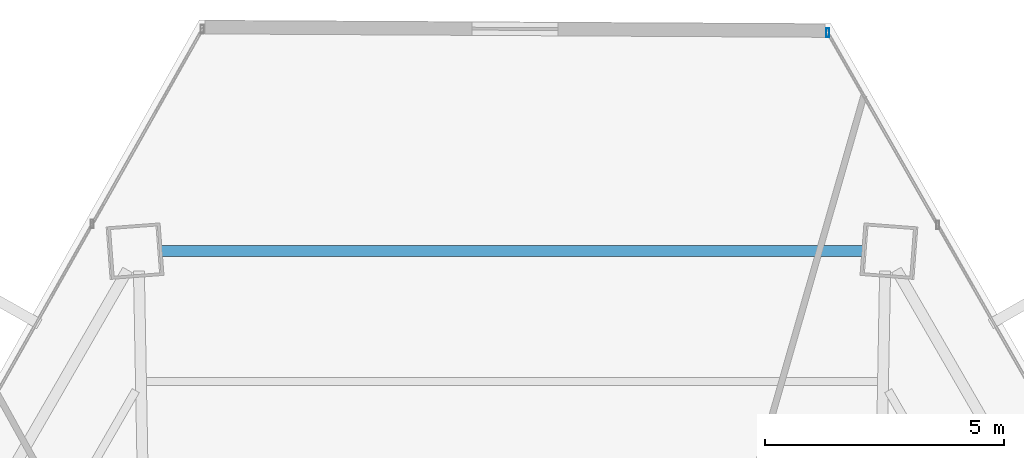
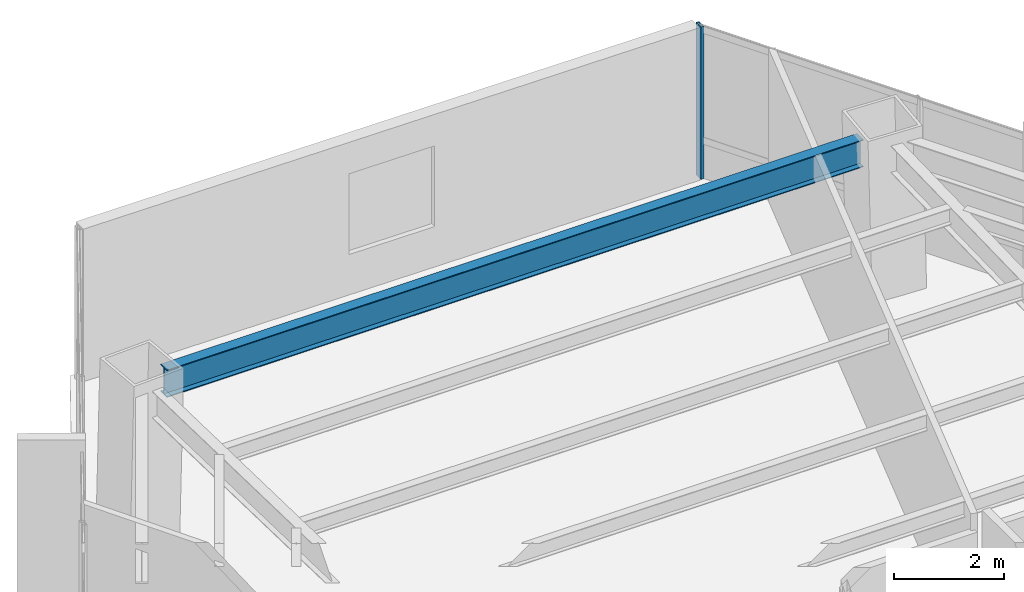
# One storey, part 26 of 35: 1 beam, 1 member, 1 element without a shape of its own.
"""IFC4 building model written with IfcOpenShell, lengths in metres."""

from ifc_helpers import new_model, si_unit, direction, frame, origin, origin_2d, place, context, subcontext, project, spatial, hollow_rectangle, i_section, extrude, source, transform, mapped, material, material_profile, profile_set, type_object, type_shapes, element, aggregate, save


model = new_model("IFC4")

# Units and contexts
model_context = context("Model", 3, precision=1e-05, world=origin(), true_north=direction((0.0, 1.0)))
body_context = subcontext(model_context, "Body", "Model", "MODEL_VIEW")
ifc_project = project(units=[si_unit("LENGTHUNIT", "METRE"), si_unit("AREAUNIT", "SQUARE_METRE"), si_unit("VOLUMEUNIT", "CUBIC_METRE"), si_unit("PLANEANGLEUNIT", "RADIAN"), si_unit("MASSUNIT", "GRAM", prefix="KILO")], contexts=[model_context])

# Site, building, storey
site_placement = place(None, origin())
site = spatial("IfcSite", under=ifc_project, at=site_placement, CompositionType="ELEMENT")
building_placement = place(site_placement, origin())
building = spatial("IfcBuilding", under=site, at=building_placement, Name="Caelisora Broadcast Tower", CompositionType="ELEMENT")
storey_placement = place(building_placement, frame((0.0, 0.0, 87.14990234375)))
storey = spatial("IfcBuildingStorey", under=building, at=storey_placement, Name="L22", CompositionType="ELEMENT", Elevation=87.14990234375)

# Beam
ifc_material_1 = material(Name="Steel Grade 350 (AS/NZS 3679.1)", Category="steel")
ifc_material_profile_1 = material_profile(ifc_material_1, i_section(OverallWidth=0.22900390625, OverallDepth=0.611572265625, WebThickness=0.011962890625, FlangeThickness=0.01953125, at=origin_2d()), Name="Steel Grade 350 (AS/NZS 3679.1)")
ifc_profile_set_1 = profile_set([ifc_material_profile_1], Name="Steel Grade 350 (AS/NZS 3679.1)")
beam_type = type_object("IfcBeamType", Name="PG03", PredefinedType="BEAM", material=ifc_profile_set_1)
shared_shape_1 = source(origin(), body_context, "Body", "SweptSolid", [
    extrude(i_section(OverallWidth=0.22900390625, OverallDepth=0.611572265625, WebThickness=0.011962890625, FlangeThickness=0.01953125, at=origin_2d()), origin(), (0.0, 0.0, 1.0), 14.68359375),
])
type_shapes(beam_type, [shared_shape_1])
beam_placement = place(storey_placement, frame((45.341796875, 46.38330078125, 3.09423828125), z_axis=(-1.0, 0.0, 0.0), x_axis=(0.0, -1.0, 0.0)))
element("IfcBeam", 1, at=beam_placement, inside=storey, type_object=beam_type, Name="L22 beam PG03", PredefinedType="BEAM", context=body_context, shape_type="MappedRepresentation", body=[
    mapped(shared_shape_1, transform((0.0, 0.0, 0.0), scale=1.0)),
])

# Curtain wall, member
ifc_material_2 = material(Name="Unitised Aluminium and Low-E Glass Curtain Wall", Category="glass")
curtain_wall_type = type_object("IfcCurtainWallType", Name="CW-Z2", PredefinedType="NOTDEFINED", material=ifc_material_2)
curtain_wall_placement = place(storey_placement, origin())
curtain_wall = element("IfcCurtainWall", 2, at=curtain_wall_placement, inside=storey, type_object=curtain_wall_type, Name="L22 curtain wall CW-Z2", PredefinedType="NOTDEFINED")
ifc_material_3 = material(Name="Aluminium 6063-T6 Anodised Terracotta Bronze", Category="aluminium")
ifc_material_profile_2 = material_profile(ifc_material_3, hollow_rectangle(XDim=0.06494140625, YDim=0.179931640625, WallThickness=0.00341796875, at=origin_2d()), Name="Aluminium 6063-T6 Anodised Terracotta Bronze")
ifc_profile_set_2 = profile_set([ifc_material_profile_2], Name="Aluminium 6063-T6 Anodised Terracotta Bronze")
member_type = type_object("IfcMemberType", Name="CWM-02", PredefinedType="MULLION", material=ifc_profile_set_2)
shared_shape_2 = source(origin(), body_context, "Body", "SweptSolid", [
    extrude(hollow_rectangle(XDim=0.06494140625, YDim=0.179931640625, WallThickness=0.00341796875, at=origin_2d()), origin(), (0.0, 0.0, 1.0), 3.400146484375),
])
type_shapes(member_type, [shared_shape_2])
member_placement = place(storey_placement, frame((44.5947265625, 50.941650390625, 0.0), z_axis=(0.0, 0.0, 1.0), x_axis=(1.0, 0.0, 0.0)))
member = element("IfcMember", 3, at=member_placement, type_object=member_type, Name="L22-CW-B01 mullion #0", PredefinedType="MULLION", context=body_context, shape_type="MappedRepresentation", body=[
    mapped(shared_shape_2, transform((0.0, 0.0, 0.0), scale=1.0)),
])
aggregate(curtain_wall, [member])

save(model, "model.ifc")
